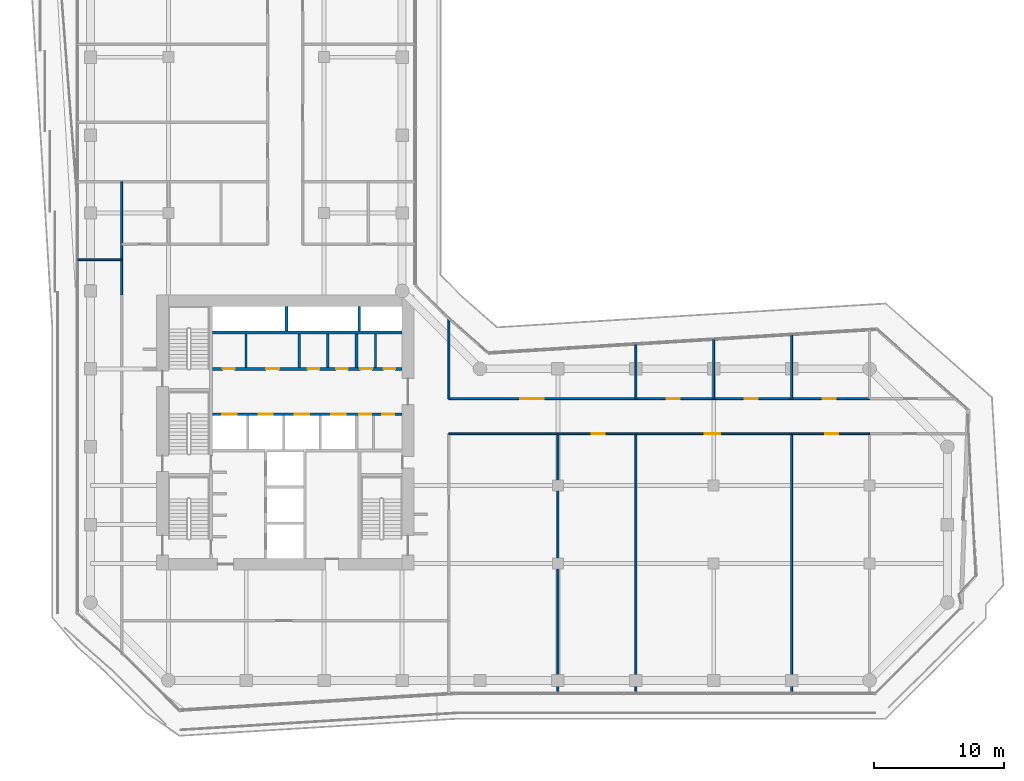
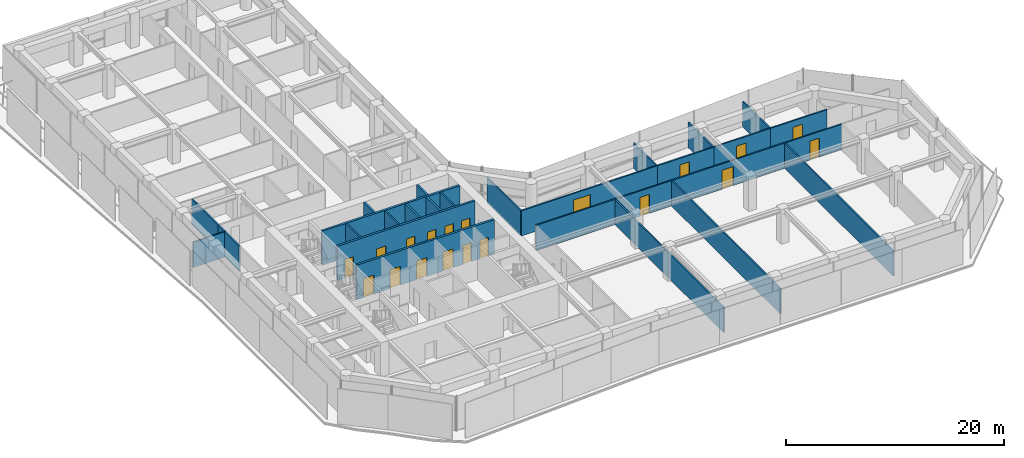
# One storey, part 24 of 29: 28 walls, 19 doors, 19 openings.
"""IFC4 building model written with IfcOpenShell, lengths in metres."""

from ifc_helpers import new_model, si_unit, direction, frame, frame_2d, origin, place, context, subcontext, project, spatial, rectangle, extrude, material, layer, layer_set, type_object, element, fill, save


model = new_model("IFC4")

# Units and contexts
model_context = context("Model", 3, precision=1e-05, world=origin(), true_north=direction((0.0, 1.0)))
body_context = subcontext(model_context, "Body", "Model", "MODEL_VIEW")
ifc_project = project(units=[si_unit("LENGTHUNIT", "METRE"), si_unit("AREAUNIT", "SQUARE_METRE"), si_unit("VOLUMEUNIT", "CUBIC_METRE"), si_unit("PLANEANGLEUNIT", "RADIAN"), si_unit("MASSUNIT", "GRAM", prefix="KILO")], contexts=[model_context])

# Site, building, storey
site_placement = place(None, origin())
site = spatial("IfcSite", under=ifc_project, at=site_placement, CompositionType="ELEMENT")
building_placement = place(site_placement, origin())
building = spatial("IfcBuilding", under=site, at=building_placement, Name="Welwitschia Terrace Campus", CompositionType="ELEMENT")
storey_placement = place(building_placement, frame((0.0, 0.0, 66.800048828125)))
storey = spatial("IfcBuildingStorey", under=building, at=storey_placement, Name="L15", CompositionType="ELEMENT", Elevation=66.800048828125)

# Walls
ifc_material_1 = material(Name="Concrete C32/40", Category="concrete")
ifc_layer_1 = layer(ifc_material_1, 0.175048828125)
ifc_layer_set_1 = layer_set([ifc_layer_1], Name="Concrete C32/40")
wall_type_1 = type_object("IfcWallType", Name="Core partition 175 Concrete C32/40", PredefinedType="PARTITIONING", material=ifc_layer_set_1)
for number, where, z_axis, x_axis, name in (
    (1, (11.97509765625, 20.10009765625, 0.0), (0.0, 0.0, 1.0), (0.0, 1.0, 0.0), "Core partition"),
    (2, (16.074951171875, 20.10009765625, 0.0), (0.0, 0.0, 1.0), (0.0, 1.0, 0.0), "Core partition"),
    (3, (18.27490234375, 20.10009765625, 0.0), (0.0, 0.0, 1.0), (0.0, 1.0, 0.0), "Core partition"),
    (4, (21.9599609375, 20.10009765625, 0.0), (0.0, 0.0, 1.0), (0.0, 1.0, 0.0), "Core partition"),
):
    element("IfcWall", number, at=place(storey_placement, frame(where, z_axis=z_axis, x_axis=x_axis)), inside=storey, type_object=wall_type_1, Name=name, PredefinedType="PARTITIONING", context=body_context, shape_type="SweptSolid", body=[
        extrude(rectangle(XDim=2.599853515625, YDim=0.175048828125, at=frame_2d((1.2998046875, 0.0))), origin(), (0.0, 0.0, 1.0), 3.849853515625),
    ])

# Wall, openings, doors
ifc_material_2 = material(Name="Concrete C32/40", Category="concrete")
ifc_layer_2 = layer(ifc_material_2, 0.22509765625)
ifc_layer_set_2 = layer_set([ifc_layer_2], Name="Concrete C32/40")
wall_type_2 = type_object("IfcWallType", Name="Core partition 225 Concrete C32/40", PredefinedType="PARTITIONING", material=ifc_layer_set_2)
wall_1_placement = place(storey_placement, frame((9.39990234375, 16.5, 0.0), z_axis=(0.0, 0.0, 1.0), x_axis=(1.0, 0.0, 0.0)))
wall_1 = element("IfcWall", 5, at=wall_1_placement, inside=storey, type_object=wall_type_2, Name="Shaft wall", PredefinedType="PARTITIONING", context=body_context, shape_type="SweptSolid", body=[
    extrude(rectangle(XDim=14.60009765625, YDim=0.22509765625, at=frame_2d((7.300048828125, 0.0))), origin(), (0.0, 0.0, 1.0), 3.849853515625),
])
opening_1_placement = place(wall_1_placement, frame((0.75, 0.0, 0.0)))
opening_1 = element("IfcOpeningElement", 6, at=opening_1_placement, cuts=wall_1, Name="Opening LD", PredefinedType="OPENING", context=body_context, shape_type="SweptSolid", body=[
    extrude(rectangle(XDim=1.10009765625, YDim=2.10009765625, at=frame_2d((0.550048828125, 1.050048828125))), frame((0.0, 0.12255859375, 0.0), z_axis=(0.0, -1.0, 0.0), x_axis=(1.0, 0.0, 0.0)), (0.0, 0.0, 1.0), 0.2451171875),
])
opening_2_placement = place(wall_1_placement, frame((3.550048828125, 0.0, 0.0)))
opening_2 = element("IfcOpeningElement", 7, at=opening_2_placement, cuts=wall_1, Name="Opening LD", PredefinedType="OPENING", context=body_context, shape_type="SweptSolid", body=[
    extrude(rectangle(XDim=1.10009765625, YDim=2.10009765625, at=frame_2d((0.550048828125, 1.050048828125))), frame((0.0, 0.12255859375, 0.0), z_axis=(0.0, -1.0, 0.0), x_axis=(1.0, 0.0, 0.0)), (0.0, 0.0, 1.0), 0.2451171875),
])
opening_3_placement = place(wall_1_placement, frame((6.35009765625, 0.0, 0.0)))
opening_3 = element("IfcOpeningElement", 8, at=opening_3_placement, cuts=wall_1, Name="Opening LD", PredefinedType="OPENING", context=body_context, shape_type="SweptSolid", body=[
    extrude(rectangle(XDim=1.10009765625, YDim=2.10009765625, at=frame_2d((0.550048828125, 1.050048828125))), frame((0.0, 0.12255859375, 0.0), z_axis=(0.0, -1.0, 0.0), x_axis=(1.0, 0.0, 0.0)), (0.0, 0.0, 1.0), 0.2451171875),
])
opening_4_placement = place(wall_1_placement, frame((9.14990234375, 0.0, 0.0)))
opening_4 = element("IfcOpeningElement", 9, at=opening_4_placement, cuts=wall_1, Name="Opening LD", PredefinedType="OPENING", context=body_context, shape_type="SweptSolid", body=[
    extrude(rectangle(XDim=1.10009765625, YDim=2.10009765625, at=frame_2d((0.550048828125, 1.050048828125))), frame((0.0, 0.12255859375, 0.0), z_axis=(0.0, -1.0, 0.0), x_axis=(1.0, 0.0, 0.0)), (0.0, 0.0, 1.0), 0.2451171875),
])
opening_5_placement = place(wall_1_placement, frame((11.3076171875, 0.0, 0.0)))
opening_5 = element("IfcOpeningElement", 10, at=opening_5_placement, cuts=wall_1, Name="Opening DR09", PredefinedType="OPENING", context=body_context, shape_type="SweptSolid", body=[
    extrude(rectangle(XDim=0.89990234375, YDim=2.10009765625, at=frame_2d((0.449951171875, 1.050048828125))), frame((0.0, 0.12255859375, 0.0), z_axis=(0.0, -1.0, 0.0), x_axis=(1.0, 0.0, 0.0)), (0.0, 0.0, 1.0), 0.2451171875),
])
opening_6_placement = place(wall_1_placement, frame((13.08251953125, 0.0, 0.0)))
opening_6 = element("IfcOpeningElement", 11, at=opening_6_placement, cuts=wall_1, Name="Opening DR09", PredefinedType="OPENING", context=body_context, shape_type="SweptSolid", body=[
    extrude(rectangle(XDim=0.89990234375, YDim=2.10009765625, at=frame_2d((0.449951171875, 1.050048828125))), frame((0.0, 0.12255859375, 0.0), z_axis=(0.0, -1.0, 0.0), x_axis=(1.0, 0.0, 0.0)), (0.0, 0.0, 1.0), 0.2451171875),
])
ifc_material_3 = material(Name="Steel S275", Category="steel")
door_type_1 = type_object("IfcDoorType", Name="Core door DR09", OperationType="SINGLE_SWING_LEFT", PredefinedType="DOOR", material=ifc_material_3)
door_1_placement = place(opening_5_placement, origin())
door_1 = element("IfcDoor", 12, at=door_1_placement, inside=storey, type_object=door_type_1, Name="Door EL1-D", OperationType="SINGLE_SWING_RIGHT", OverallHeight=2.10009765625, OverallWidth=0.89990234375, PredefinedType="DOOR", context=body_context, shape_type="SweptSolid", body=[
    extrude(rectangle(XDim=0.89990234375, YDim=2.10009765625, at=frame_2d((0.449951171875, 1.050048828125))), frame((0.0, 0.02490234375, 0.0), z_axis=(0.0, -1.0, 0.0), x_axis=(1.0, 0.0, 0.0)), (0.0, 0.0, 1.0), 0.050048828125),
])
fill(opening_5, door_1)
door_2_placement = place(opening_6_placement, origin())
door_2 = element("IfcDoor", 13, at=door_2_placement, inside=storey, type_object=door_type_1, Name="Door EL2-D", OperationType="SINGLE_SWING_RIGHT", OverallHeight=2.10009765625, OverallWidth=0.89990234375, PredefinedType="DOOR", context=body_context, shape_type="SweptSolid", body=[
    extrude(rectangle(XDim=0.89990234375, YDim=2.10009765625, at=frame_2d((0.449951171875, 1.050048828125))), frame((0.0, 0.02490234375, 0.0), z_axis=(0.0, -1.0, 0.0), x_axis=(1.0, 0.0, 0.0)), (0.0, 0.0, 1.0), 0.050048828125),
])
fill(opening_6, door_2)
ifc_material_4 = material(Name="Stainless steel 304", Category="steel")
door_type_2 = type_object("IfcDoorType", Name="Lift landing door", OperationType="DOUBLE_DOOR_SLIDING", PredefinedType="DOOR", material=ifc_material_4)
door_3_placement = place(opening_1_placement, origin())
door_3 = element("IfcDoor", 14, at=door_3_placement, inside=storey, type_object=door_type_2, Name="Landing door LR1", OperationType="DOUBLE_DOOR_SLIDING", OverallHeight=2.10009765625, OverallWidth=1.10009765625, PredefinedType="DOOR", context=body_context, shape_type="SweptSolid", body=[
    extrude(rectangle(XDim=1.10009765625, YDim=2.10009765625, at=frame_2d((0.550048828125, 1.050048828125))), frame((0.0, 0.02490234375, 0.0), z_axis=(0.0, -1.0, 0.0), x_axis=(1.0, 0.0, 0.0)), (0.0, 0.0, 1.0), 0.050048828125),
])
fill(opening_1, door_3)
door_4_placement = place(opening_2_placement, origin())
door_4 = element("IfcDoor", 15, at=door_4_placement, inside=storey, type_object=door_type_2, Name="Landing door LR2", OperationType="DOUBLE_DOOR_SLIDING", OverallHeight=2.10009765625, OverallWidth=1.10009765625, PredefinedType="DOOR", context=body_context, shape_type="SweptSolid", body=[
    extrude(rectangle(XDim=1.10009765625, YDim=2.10009765625, at=frame_2d((0.550048828125, 1.050048828125))), frame((0.0, 0.02490234375, 0.0), z_axis=(0.0, -1.0, 0.0), x_axis=(1.0, 0.0, 0.0)), (0.0, 0.0, 1.0), 0.050048828125),
])
fill(opening_2, door_4)
door_5_placement = place(opening_3_placement, origin())
door_5 = element("IfcDoor", 16, at=door_5_placement, inside=storey, type_object=door_type_2, Name="Landing door LR3", OperationType="DOUBLE_DOOR_SLIDING", OverallHeight=2.10009765625, OverallWidth=1.10009765625, PredefinedType="DOOR", context=body_context, shape_type="SweptSolid", body=[
    extrude(rectangle(XDim=1.10009765625, YDim=2.10009765625, at=frame_2d((0.550048828125, 1.050048828125))), frame((0.0, 0.02490234375, 0.0), z_axis=(0.0, -1.0, 0.0), x_axis=(1.0, 0.0, 0.0)), (0.0, 0.0, 1.0), 0.050048828125),
])
fill(opening_3, door_5)
door_6_placement = place(opening_4_placement, origin())
door_6 = element("IfcDoor", 17, at=door_6_placement, inside=storey, type_object=door_type_2, Name="Landing door LR4", OperationType="DOUBLE_DOOR_SLIDING", OverallHeight=2.10009765625, OverallWidth=1.10009765625, PredefinedType="DOOR", context=body_context, shape_type="SweptSolid", body=[
    extrude(rectangle(XDim=1.10009765625, YDim=2.10009765625, at=frame_2d((0.550048828125, 1.050048828125))), frame((0.0, 0.02490234375, 0.0), z_axis=(0.0, -1.0, 0.0), x_axis=(1.0, 0.0, 0.0)), (0.0, 0.0, 1.0), 0.050048828125),
])
fill(opening_4, door_6)

wall_2_placement = place(storey_placement, frame((24.0, 20.0, 0.0), z_axis=(0.0, 0.0, 1.0), x_axis=(-1.0, 0.0, 0.0)))
wall_2 = element("IfcWall", 18, at=wall_2_placement, inside=storey, type_object=wall_type_2, Name="Core partition", PredefinedType="PARTITIONING", context=body_context, shape_type="SweptSolid", body=[
    extrude(rectangle(XDim=14.60009765625, YDim=0.22509765625, at=frame_2d((7.300048828125, 0.0))), origin(), (0.0, 0.0, 1.0), 3.849853515625),
])
opening_7_placement = place(wall_2_placement, frame((12.89990234375, 0.0, 0.0)))
opening_7 = element("IfcOpeningElement", 19, at=opening_7_placement, cuts=wall_2, Name="Opening DR09", PredefinedType="OPENING", context=body_context, shape_type="SweptSolid", body=[
    extrude(rectangle(XDim=0.89990234375, YDim=2.10009765625, at=frame_2d((0.449951171875, 1.050048828125))), frame((0.0, 0.12255859375, 0.0), z_axis=(0.0, -1.0, 0.0), x_axis=(1.0, 0.0, 0.0)), (0.0, 0.0, 1.0), 0.2451171875),
])
opening_8_placement = place(wall_2_placement, frame((9.47509765625, 0.0, 0.0)))
opening_8 = element("IfcOpeningElement", 20, at=opening_8_placement, cuts=wall_2, Name="Opening DR10", PredefinedType="OPENING", context=body_context, shape_type="SweptSolid", body=[
    extrude(rectangle(XDim=1.0, YDim=2.10009765625, at=frame_2d((0.5, 1.050048828125))), frame((0.0, 0.12255859375, 0.0), z_axis=(0.0, -1.0, 0.0), x_axis=(1.0, 0.0, 0.0)), (0.0, 0.0, 1.0), 0.2451171875),
])
opening_9_placement = place(wall_2_placement, frame((6.375, 0.0, 0.0)))
opening_9 = element("IfcOpeningElement", 21, at=opening_9_placement, cuts=wall_2, Name="Opening DR09", PredefinedType="OPENING", context=body_context, shape_type="SweptSolid", body=[
    extrude(rectangle(XDim=0.89990234375, YDim=2.10009765625, at=frame_2d((0.449951171875, 1.050048828125))), frame((0.0, 0.12255859375, 0.0), z_axis=(0.0, -1.0, 0.0), x_axis=(1.0, 0.0, 0.0)), (0.0, 0.0, 1.0), 0.2451171875),
])
opening_10_placement = place(wall_2_placement, frame((4.175048828125, 0.0, 0.0)))
opening_10 = element("IfcOpeningElement", 22, at=opening_10_placement, cuts=wall_2, Name="Opening DR09", PredefinedType="OPENING", context=body_context, shape_type="SweptSolid", body=[
    extrude(rectangle(XDim=0.89990234375, YDim=2.10009765625, at=frame_2d((0.449951171875, 1.050048828125))), frame((0.0, 0.12255859375, 0.0), z_axis=(0.0, -1.0, 0.0), x_axis=(1.0, 0.0, 0.0)), (0.0, 0.0, 1.0), 0.2451171875),
])
opening_11_placement = place(wall_2_placement, frame((2.3076171875, 0.0, 0.0)))
opening_11 = element("IfcOpeningElement", 23, at=opening_11_placement, cuts=wall_2, Name="Opening DR09", PredefinedType="OPENING", context=body_context, shape_type="SweptSolid", body=[
    extrude(rectangle(XDim=0.89990234375, YDim=2.10009765625, at=frame_2d((0.449951171875, 1.050048828125))), frame((0.0, 0.12255859375, 0.0), z_axis=(0.0, -1.0, 0.0), x_axis=(1.0, 0.0, 0.0)), (0.0, 0.0, 1.0), 0.2451171875),
])
opening_12_placement = place(wall_2_placement, frame((0.532470703125, 0.0, 0.0)))
opening_12 = element("IfcOpeningElement", 24, at=opening_12_placement, cuts=wall_2, Name="Opening DR09", PredefinedType="OPENING", context=body_context, shape_type="SweptSolid", body=[
    extrude(rectangle(XDim=0.89990234375, YDim=2.10009765625, at=frame_2d((0.449951171875, 1.050048828125))), frame((0.0, 0.12255859375, 0.0), z_axis=(0.0, -1.0, 0.0), x_axis=(1.0, 0.0, 0.0)), (0.0, 0.0, 1.0), 0.2451171875),
])
door_7_placement = place(opening_7_placement, origin())
door_7 = element("IfcDoor", 25, at=door_7_placement, inside=storey, type_object=door_type_1, Name="Door BAYH1-D", OperationType="SINGLE_SWING_RIGHT", OverallHeight=2.10009765625, OverallWidth=0.89990234375, PredefinedType="DOOR", context=body_context, shape_type="SweptSolid", body=[
    extrude(rectangle(XDim=0.89990234375, YDim=2.10009765625, at=frame_2d((0.449951171875, 1.050048828125))), frame((0.0, 0.02490234375, 0.0), z_axis=(0.0, -1.0, 0.0), x_axis=(1.0, 0.0, 0.0)), (0.0, 0.0, 1.0), 0.050048828125),
])
fill(opening_7, door_7)
door_8_placement = place(opening_9_placement, origin())
door_8 = element("IfcDoor", 26, at=door_8_placement, inside=storey, type_object=door_type_1, Name="Door BAYH3-D", OperationType="SINGLE_SWING_LEFT", OverallHeight=2.10009765625, OverallWidth=0.89990234375, PredefinedType="DOOR", context=body_context, shape_type="SweptSolid", body=[
    extrude(rectangle(XDim=0.89990234375, YDim=2.10009765625, at=frame_2d((0.449951171875, 1.050048828125))), frame((0.0, 0.02490234375, 0.0), z_axis=(0.0, -1.0, 0.0), x_axis=(1.0, 0.0, 0.0)), (0.0, 0.0, 1.0), 0.050048828125),
])
fill(opening_9, door_8)
door_9_placement = place(opening_10_placement, origin())
door_9 = element("IfcDoor", 27, at=door_9_placement, inside=storey, type_object=door_type_1, Name="Door BAYH4-D", OperationType="SINGLE_SWING_LEFT", OverallHeight=2.10009765625, OverallWidth=0.89990234375, PredefinedType="DOOR", context=body_context, shape_type="SweptSolid", body=[
    extrude(rectangle(XDim=0.89990234375, YDim=2.10009765625, at=frame_2d((0.449951171875, 1.050048828125))), frame((0.0, 0.02490234375, 0.0), z_axis=(0.0, -1.0, 0.0), x_axis=(1.0, 0.0, 0.0)), (0.0, 0.0, 1.0), 0.050048828125),
])
fill(opening_10, door_9)
door_10_placement = place(opening_11_placement, origin())
door_10 = element("IfcDoor", 28, at=door_10_placement, inside=storey, type_object=door_type_1, Name="Door EH1-D", OperationType="SINGLE_SWING_LEFT", OverallHeight=2.10009765625, OverallWidth=0.89990234375, PredefinedType="DOOR", context=body_context, shape_type="SweptSolid", body=[
    extrude(rectangle(XDim=0.89990234375, YDim=2.10009765625, at=frame_2d((0.449951171875, 1.050048828125))), frame((0.0, 0.02490234375, 0.0), z_axis=(0.0, -1.0, 0.0), x_axis=(1.0, 0.0, 0.0)), (0.0, 0.0, 1.0), 0.050048828125),
])
fill(opening_11, door_10)
door_11_placement = place(opening_12_placement, origin())
door_11 = element("IfcDoor", 29, at=door_11_placement, inside=storey, type_object=door_type_1, Name="Door EH2-D", OperationType="SINGLE_SWING_LEFT", OverallHeight=2.10009765625, OverallWidth=0.89990234375, PredefinedType="DOOR", context=body_context, shape_type="SweptSolid", body=[
    extrude(rectangle(XDim=0.89990234375, YDim=2.10009765625, at=frame_2d((0.449951171875, 1.050048828125))), frame((0.0, 0.02490234375, 0.0), z_axis=(0.0, -1.0, 0.0), x_axis=(1.0, 0.0, 0.0)), (0.0, 0.0, 1.0), 0.050048828125),
])
fill(opening_12, door_11)
ifc_material_5 = material(Name="Steel S275", Category="steel")
door_type_3 = type_object("IfcDoorType", Name="Core door DR10", OperationType="SINGLE_SWING_LEFT", PredefinedType="DOOR", material=ifc_material_5)
door_12_placement = place(opening_8_placement, origin())
door_12 = element("IfcDoor", 30, at=door_12_placement, inside=storey, type_object=door_type_3, Name="Door BAYH2-D", OperationType="SINGLE_SWING_RIGHT", OverallHeight=2.10009765625, OverallWidth=1.0, PredefinedType="DOOR", context=body_context, shape_type="SweptSolid", body=[
    extrude(rectangle(XDim=1.0, YDim=2.10009765625, at=frame_2d((0.5, 1.050048828125))), frame((0.0, 0.02490234375, 0.0), z_axis=(0.0, -1.0, 0.0), x_axis=(1.0, 0.0, 0.0)), (0.0, 0.0, 1.0), 0.050048828125),
])
fill(opening_8, door_12)

# Walls
wall_3_placement = place(storey_placement, frame((9.39990234375, 22.800048828125, 0.0), z_axis=(0.0, 0.0, 1.0), x_axis=(1.0, 0.0, 0.0)))
element("IfcWall", 31, at=wall_3_placement, inside=storey, type_object=wall_type_2, Name="Shaft wall", PredefinedType="PARTITIONING", context=body_context, shape_type="SweptSolid", body=[
    extrude(rectangle(XDim=14.60009765625, YDim=0.22509765625, at=frame_2d((7.300048828125, 0.0))), origin(), (0.0, 0.0, 1.0), 3.849853515625),
])
wall_4_placement = place(storey_placement, frame((20.5, 20.10009765625, 0.0), z_axis=(0.0, 0.0, 1.0), x_axis=(0.0, 1.0, 0.0)))
element("IfcWall", 32, at=wall_4_placement, inside=storey, type_object=wall_type_2, Name="Core partition", PredefinedType="PARTITIONING", context=body_context, shape_type="SweptSolid", body=[
    extrude(rectangle(XDim=2.599853515625, YDim=0.22509765625, at=frame_2d((1.2998046875, 0.0))), origin(), (0.0, 0.0, 1.0), 3.849853515625),
])
ifc_material_6 = material(Name="Concrete C50/60", Category="concrete")
ifc_layer_3 = layer(ifc_material_6, 0.199951171875)
ifc_layer_set_3 = layer_set([ifc_layer_3], Name="Concrete C50/60")
wall_type_3 = type_object("IfcWallType", Name="Core wall 200 Concrete C50/60", PredefinedType="SHEAR", material=ifc_layer_set_3)
for number, where, z_axis, x_axis, name in (
    (33, (15.10009765625, 22.89990234375, 0.0), (0.0, 0.0, 1.0), (0.0, 1.0, 0.0), "Core wall"),
    (34, (20.699951171875, 22.89990234375, 0.0), (0.0, 0.0, 1.0), (0.0, 1.0, 0.0), "Core wall"),
):
    element("IfcWall", number, at=place(storey_placement, frame(where, z_axis=z_axis, x_axis=x_axis)), inside=storey, type_object=wall_type_3, Name=name, PredefinedType="SHEAR", context=body_context, shape_type="SweptSolid", body=[
        extrude(rectangle(XDim=1.900146484375, YDim=0.199951171875, at=frame_2d((0.9501953125, 0.0))), origin(), (0.0, 0.0, 1.0), 3.849853515625),
    ])
ifc_material_7 = material(Name="Gypsum board on steel studs", Category="steel")
ifc_layer_4 = layer(ifc_material_7, 0.14990234375)
ifc_layer_set_4 = layer_set([ifc_layer_4], Name="Gypsum board on steel studs")
wall_type_4 = type_object("IfcWallType", Name="Corridor partition 150 EI 30", PredefinedType="PARTITIONING", material=ifc_layer_set_4)
wall_5_placement = place(storey_placement, frame((-1.010009765625, 28.39990234375, 0.0), z_axis=(0.0, 0.0, 1.0), x_axis=(1.0, 0.0, 0.0)))
element("IfcWall", 35, at=wall_5_placement, inside=storey, type_object=wall_type_4, Name="Partition", PredefinedType="PARTITIONING", context=body_context, shape_type="SweptSolid", body=[
    extrude(rectangle(XDim=3.409912109375, YDim=0.14990234375, at=frame_2d((1.705078125, 0.0))), origin(), (0.0, 0.0, 1.0), 2.829833984375),
])
wall_6_placement = place(storey_placement, frame((2.39990234375, 25.699951171875, 0.0), z_axis=(0.0, 0.0, 1.0), x_axis=(0.0, 1.0, 0.0)))
element("IfcWall", 36, at=wall_6_placement, inside=storey, type_object=wall_type_4, Name="Partition", PredefinedType="PARTITIONING", context=body_context, shape_type="SweptSolid", body=[
    extrude(rectangle(XDim=3.900146484375, YDim=0.14990234375, at=frame_2d((1.9501953125, 0.0))), origin(), (0.0, 0.0, 1.0), 2.829833984375),
])
wall_7_placement = place(storey_placement, frame((2.39990234375, 29.60009765625, 0.0), z_axis=(0.0, 0.0, 1.0), x_axis=(0.0, 1.0, 0.0)))
element("IfcWall", 37, at=wall_7_placement, inside=storey, type_object=wall_type_4, Name="Partition", PredefinedType="PARTITIONING", context=body_context, shape_type="SweptSolid", body=[
    extrude(rectangle(XDim=4.7998046875, YDim=0.14990234375, at=frame_2d((2.39990234375, 0.0))), origin(), (0.0, 0.0, 1.0), 2.829833984375),
])
wall_8_placement = place(storey_placement, frame((27.60009765625, 15.0, 0.0), z_axis=(0.0, 0.0, 1.0), x_axis=(1.0, 0.0, 0.0)))
element("IfcWall", 38, at=wall_8_placement, inside=storey, type_object=wall_type_4, Name="Partition", PredefinedType="PARTITIONING", context=body_context, shape_type="SweptSolid", body=[
    extrude(rectangle(XDim=8.39990234375, YDim=0.14990234375, at=frame_2d((4.199951171875, 0.0))), origin(), (0.0, 0.0, 1.0), 2.829833984375),
])
wall_9_placement = place(storey_placement, frame((27.60009765625, 17.699951171875, 0.0), z_axis=(0.0, 0.0, 1.0), x_axis=(0.0, 1.0, 0.0)))
element("IfcWall", 39, at=wall_9_placement, inside=storey, type_object=wall_type_4, Name="Partition", PredefinedType="PARTITIONING", context=body_context, shape_type="SweptSolid", body=[
    extrude(rectangle(XDim=6.170166015625, YDim=0.14990234375, at=frame_2d((3.0849609375, 0.0))), origin(), (0.0, 0.0, 1.0), 2.829833984375),
])
for number, where, z_axis, x_axis, name in (
    (40, (36.0, -5.010009765625, 0.0), (0.0, 0.0, 1.0), (0.0, 1.0, 0.0), "Partition"),
    (41, (42.0, -5.010009765625, 0.0), (0.0, 0.0, 1.0), (0.0, 1.0, 0.0), "Partition"),
):
    element("IfcWall", number, at=place(storey_placement, frame(where, z_axis=z_axis, x_axis=x_axis)), inside=storey, type_object=wall_type_4, Name=name, PredefinedType="PARTITIONING", context=body_context, shape_type="SweptSolid", body=[
        extrude(rectangle(XDim=20.010009765625, YDim=0.14990234375, at=frame_2d((10.0048828125, 0.0))), origin(), (0.0, 0.0, 1.0), 2.829833984375),
    ])

# Wall, opening, door
wall_10_placement = place(storey_placement, frame((42.0, 15.0, 0.0), z_axis=(0.0, 0.0, 1.0), x_axis=(-1.0, 0.0, 0.0)))
wall_10 = element("IfcWall", 42, at=wall_10_placement, inside=storey, type_object=wall_type_4, Name="Partition", PredefinedType="PARTITIONING", context=body_context, shape_type="SweptSolid", body=[
    extrude(rectangle(XDim=6.0, YDim=0.14990234375, at=frame_2d((3.0, 0.0))), origin(), (0.0, 0.0, 1.0), 2.829833984375),
])
opening_13_placement = place(wall_10_placement, frame((2.39990234375, 0.0, 0.0)))
opening_13 = element("IfcOpeningElement", 43, at=opening_13_placement, cuts=wall_10, Name="Opening DI10", PredefinedType="OPENING", context=body_context, shape_type="SweptSolid", body=[
    extrude(rectangle(XDim=1.0, YDim=2.10009765625, at=frame_2d((0.5, 1.050048828125))), frame((0.0, 0.0849609375, 0.0), z_axis=(0.0, -1.0, 0.0), x_axis=(1.0, 0.0, 0.0)), (0.0, 0.0, 1.0), 0.169921875),
])
ifc_material_8 = material(Name="Timber veneered door", Category="wood")
door_type_4 = type_object("IfcDoorType", Name="Interior door DI10", OperationType="NOTDEFINED", PredefinedType="DOOR", material=ifc_material_8)
door_13_placement = place(opening_13_placement, origin())
door_13 = element("IfcDoor", 44, at=door_13_placement, inside=storey, type_object=door_type_4, Name="Door L15 350", OperationType="SINGLE_SWING_LEFT", OverallHeight=2.10009765625, OverallWidth=1.0, PredefinedType="DOOR", context=body_context, shape_type="SweptSolid", body=[
    extrude(rectangle(XDim=1.0, YDim=2.10009765625, at=frame_2d((0.5, 1.050048828125))), frame((0.0, 0.02490234375, 0.0), z_axis=(0.0, -1.0, 0.0), x_axis=(1.0, 0.0, 0.0)), (0.0, 0.0, 1.0), 0.050048828125),
])
fill(opening_13, door_13)

wall_11_placement = place(storey_placement, frame((42.0, 17.699951171875, 0.0), z_axis=(0.0, 0.0, 1.0), x_axis=(-1.0, 0.0, 0.0)))
wall_11 = element("IfcWall", 45, at=wall_11_placement, inside=storey, type_object=wall_type_4, Name="Partition", PredefinedType="PARTITIONING", context=body_context, shape_type="SweptSolid", body=[
    extrude(rectangle(XDim=14.39990234375, YDim=0.14990234375, at=frame_2d((7.199951171875, 0.0))), origin(), (0.0, 0.0, 1.0), 2.829833984375),
])
opening_14_placement = place(wall_11_placement, frame((7.10009765625, 0.0, 0.0)))
opening_14 = element("IfcOpeningElement", 46, at=opening_14_placement, cuts=wall_11, Name="Opening DI18", PredefinedType="OPENING", context=body_context, shape_type="SweptSolid", body=[
    extrude(rectangle(XDim=1.800048828125, YDim=2.10009765625, at=frame_2d((0.89990234375, 1.050048828125))), frame((0.0, 0.0849609375, 0.0), z_axis=(0.0, -1.0, 0.0), x_axis=(1.0, 0.0, 0.0)), (0.0, 0.0, 1.0), 0.169921875),
])
ifc_material_9 = material(Name="Timber veneered door", Category="wood")
door_type_5 = type_object("IfcDoorType", Name="Interior door DI18", OperationType="DOUBLE_DOOR_SINGLE_SWING", PredefinedType="DOOR", material=ifc_material_9)
door_14_placement = place(opening_14_placement, origin())
door_14 = element("IfcDoor", 47, at=door_14_placement, inside=storey, type_object=door_type_5, Name="Door L15 351", OperationType="SINGLE_SWING_LEFT", OverallHeight=2.10009765625, OverallWidth=1.800048828125, PredefinedType="DOOR", context=body_context, shape_type="SweptSolid", body=[
    extrude(rectangle(XDim=1.800048828125, YDim=2.10009765625, at=frame_2d((0.89990234375, 1.050048828125))), frame((0.0, 0.02490234375, 0.0), z_axis=(0.0, -1.0, 0.0), x_axis=(1.0, 0.0, 0.0)), (0.0, 0.0, 1.0), 0.050048828125),
])
fill(opening_14, door_14)

# Wall
wall_12_placement = place(storey_placement, frame((42.0, 17.699951171875, 0.0), z_axis=(0.0, 0.0, 1.0), x_axis=(0.0, 1.0, 0.0)))
element("IfcWall", 48, at=wall_12_placement, inside=storey, type_object=wall_type_4, Name="Partition", PredefinedType="PARTITIONING", context=body_context, shape_type="SweptSolid", body=[
    extrude(rectangle(XDim=4.199951171875, YDim=0.14990234375, at=frame_2d((2.10009765625, 0.0))), origin(), (0.0, 0.0, 1.0), 2.829833984375),
])

# Wall, opening, door
wall_13_placement = place(storey_placement, frame((42.0, 17.699951171875, 0.0), z_axis=(0.0, 0.0, 1.0), x_axis=(1.0, 0.0, 0.0)))
wall_13 = element("IfcWall", 49, at=wall_13_placement, inside=storey, type_object=wall_type_4, Name="Partition", PredefinedType="PARTITIONING", context=body_context, shape_type="SweptSolid", body=[
    extrude(rectangle(XDim=6.0, YDim=0.14990234375, at=frame_2d((3.0, 0.0))), origin(), (0.0, 0.0, 1.0), 2.829833984375),
])
opening_15_placement = place(wall_13_placement, frame((2.39990234375, 0.0, 0.0)))
opening_15 = element("IfcOpeningElement", 50, at=opening_15_placement, cuts=wall_13, Name="Opening DI10", PredefinedType="OPENING", context=body_context, shape_type="SweptSolid", body=[
    extrude(rectangle(XDim=1.0, YDim=2.10009765625, at=frame_2d((0.5, 1.050048828125))), frame((0.0, 0.0849609375, 0.0), z_axis=(0.0, -1.0, 0.0), x_axis=(1.0, 0.0, 0.0)), (0.0, 0.0, 1.0), 0.169921875),
])
door_15_placement = place(opening_15_placement, origin())
door_15 = element("IfcDoor", 51, at=door_15_placement, inside=storey, type_object=door_type_4, Name="Door L15 352", OperationType="SINGLE_SWING_LEFT", OverallHeight=2.10009765625, OverallWidth=1.0, PredefinedType="DOOR", context=body_context, shape_type="SweptSolid", body=[
    extrude(rectangle(XDim=1.0, YDim=2.10009765625, at=frame_2d((0.5, 1.050048828125))), frame((0.0, 0.02490234375, 0.0), z_axis=(0.0, -1.0, 0.0), x_axis=(1.0, 0.0, 0.0)), (0.0, 0.0, 1.0), 0.050048828125),
])
fill(opening_15, door_15)

# Wall
wall_14_placement = place(storey_placement, frame((48.0, 17.699951171875, 0.0), z_axis=(0.0, 0.0, 1.0), x_axis=(0.0, 1.0, 0.0)))
element("IfcWall", 52, at=wall_14_placement, inside=storey, type_object=wall_type_4, Name="Partition", PredefinedType="PARTITIONING", context=body_context, shape_type="SweptSolid", body=[
    extrude(rectangle(XDim=4.570068359375, YDim=0.14990234375, at=frame_2d((2.28515625, 0.0))), origin(), (0.0, 0.0, 1.0), 2.829833984375),
])

# Wall, opening, door
wall_15_placement = place(storey_placement, frame((48.0, 17.699951171875, 0.0), z_axis=(0.0, 0.0, 1.0), x_axis=(1.0, 0.0, 0.0)))
wall_15 = element("IfcWall", 53, at=wall_15_placement, inside=storey, type_object=wall_type_4, Name="Partition", PredefinedType="PARTITIONING", context=body_context, shape_type="SweptSolid", body=[
    extrude(rectangle(XDim=6.0, YDim=0.14990234375, at=frame_2d((3.0, 0.0))), origin(), (0.0, 0.0, 1.0), 2.829833984375),
])
opening_16_placement = place(wall_15_placement, frame((2.39990234375, 0.0, 0.0)))
opening_16 = element("IfcOpeningElement", 54, at=opening_16_placement, cuts=wall_15, Name="Opening DI10", PredefinedType="OPENING", context=body_context, shape_type="SweptSolid", body=[
    extrude(rectangle(XDim=1.0, YDim=2.10009765625, at=frame_2d((0.5, 1.050048828125))), frame((0.0, 0.0849609375, 0.0), z_axis=(0.0, -1.0, 0.0), x_axis=(1.0, 0.0, 0.0)), (0.0, 0.0, 1.0), 0.169921875),
])
door_16_placement = place(opening_16_placement, origin())
door_16 = element("IfcDoor", 55, at=door_16_placement, inside=storey, type_object=door_type_4, Name="Door L15 353", OperationType="SINGLE_SWING_RIGHT", OverallHeight=2.10009765625, OverallWidth=1.0, PredefinedType="DOOR", context=body_context, shape_type="SweptSolid", body=[
    extrude(rectangle(XDim=1.0, YDim=2.10009765625, at=frame_2d((0.5, 1.050048828125))), frame((0.0, 0.02490234375, 0.0), z_axis=(0.0, -1.0, 0.0), x_axis=(1.0, 0.0, 0.0)), (0.0, 0.0, 1.0), 0.050048828125),
])
fill(opening_16, door_16)

# Wall
wall_16_placement = place(storey_placement, frame((54.0, -4.992919921875, 0.0), z_axis=(0.0, 0.0, 1.0), x_axis=(0.0, 1.0, 0.0)))
element("IfcWall", 56, at=wall_16_placement, inside=storey, type_object=wall_type_4, Name="Partition", PredefinedType="PARTITIONING", context=body_context, shape_type="SweptSolid", body=[
    extrude(rectangle(XDim=19.992919921875, YDim=0.14990234375, at=frame_2d((9.99658203125, 0.0))), origin(), (0.0, 0.0, 1.0), 2.829833984375),
])

# Wall, opening, door
wall_17_placement = place(storey_placement, frame((54.0, 15.0, 0.0), z_axis=(0.0, 0.0, 1.0), x_axis=(-1.0, 0.0, 0.0)))
wall_17 = element("IfcWall", 57, at=wall_17_placement, inside=storey, type_object=wall_type_4, Name="Partition", PredefinedType="PARTITIONING", context=body_context, shape_type="SweptSolid", body=[
    extrude(rectangle(XDim=12.0, YDim=0.14990234375, at=frame_2d((6.0, 0.0))), origin(), (0.0, 0.0, 1.0), 2.829833984375),
])
opening_17_placement = place(wall_17_placement, frame((5.5, 0.0, 0.0)))
opening_17 = element("IfcOpeningElement", 58, at=opening_17_placement, cuts=wall_17, Name="Opening DI12", PredefinedType="OPENING", context=body_context, shape_type="SweptSolid", body=[
    extrude(rectangle(XDim=1.199951171875, YDim=2.10009765625, at=frame_2d((0.60009765625, 1.050048828125))), frame((0.0, 0.0849609375, 0.0), z_axis=(0.0, -1.0, 0.0), x_axis=(1.0, 0.0, 0.0)), (0.0, 0.0, 1.0), 0.169921875),
])
ifc_material_10 = material(Name="Timber veneered door", Category="wood")
door_type_6 = type_object("IfcDoorType", Name="Interior door DI12", OperationType="NOTDEFINED", PredefinedType="DOOR", material=ifc_material_10)
door_17_placement = place(opening_17_placement, origin())
door_17 = element("IfcDoor", 59, at=door_17_placement, inside=storey, type_object=door_type_6, Name="Door L15 354", OperationType="SINGLE_SWING_LEFT", OverallHeight=2.10009765625, OverallWidth=1.199951171875, PredefinedType="DOOR", context=body_context, shape_type="SweptSolid", body=[
    extrude(rectangle(XDim=1.199951171875, YDim=2.10009765625, at=frame_2d((0.60009765625, 1.050048828125))), frame((0.0, 0.02490234375, 0.0), z_axis=(0.0, -1.0, 0.0), x_axis=(1.0, 0.0, 0.0)), (0.0, 0.0, 1.0), 0.050048828125),
])
fill(opening_17, door_17)

# Wall
wall_18_placement = place(storey_placement, frame((54.0, 17.699951171875, 0.0), z_axis=(0.0, 0.0, 1.0), x_axis=(0.0, 1.0, 0.0)))
element("IfcWall", 60, at=wall_18_placement, inside=storey, type_object=wall_type_4, Name="Partition", PredefinedType="PARTITIONING", context=body_context, shape_type="SweptSolid", body=[
    extrude(rectangle(XDim=4.93994140625, YDim=0.14990234375, at=frame_2d((2.469970703125, 0.0))), origin(), (0.0, 0.0, 1.0), 2.829833984375),
])

# Wall, opening, door
wall_19_placement = place(storey_placement, frame((54.0, 17.699951171875, 0.0), z_axis=(0.0, 0.0, 1.0), x_axis=(1.0, 0.0, 0.0)))
wall_19 = element("IfcWall", 61, at=wall_19_placement, inside=storey, type_object=wall_type_4, Name="Partition", PredefinedType="PARTITIONING", context=body_context, shape_type="SweptSolid", body=[
    extrude(rectangle(XDim=6.0, YDim=0.14990234375, at=frame_2d((3.0, 0.0))), origin(), (0.0, 0.0, 1.0), 2.829833984375),
])
opening_18_placement = place(wall_19_placement, frame((2.39990234375, 0.0, 0.0)))
opening_18 = element("IfcOpeningElement", 62, at=opening_18_placement, cuts=wall_19, Name="Opening DI10", PredefinedType="OPENING", context=body_context, shape_type="SweptSolid", body=[
    extrude(rectangle(XDim=1.0, YDim=2.10009765625, at=frame_2d((0.5, 1.050048828125))), frame((0.0, 0.0849609375, 0.0), z_axis=(0.0, -1.0, 0.0), x_axis=(1.0, 0.0, 0.0)), (0.0, 0.0, 1.0), 0.169921875),
])
door_18_placement = place(opening_18_placement, origin())
door_18 = element("IfcDoor", 63, at=door_18_placement, inside=storey, type_object=door_type_4, Name="Door L15 355", OperationType="SINGLE_SWING_RIGHT", OverallHeight=2.10009765625, OverallWidth=1.0, PredefinedType="DOOR", context=body_context, shape_type="SweptSolid", body=[
    extrude(rectangle(XDim=1.0, YDim=2.10009765625, at=frame_2d((0.5, 1.050048828125))), frame((0.0, 0.02490234375, 0.0), z_axis=(0.0, -1.0, 0.0), x_axis=(1.0, 0.0, 0.0)), (0.0, 0.0, 1.0), 0.050048828125),
])
fill(opening_18, door_18)

wall_20_placement = place(storey_placement, frame((60.0, 15.0, 0.0), z_axis=(0.0, 0.0, 1.0), x_axis=(-1.0, 0.0, 0.0)))
wall_20 = element("IfcWall", 64, at=wall_20_placement, inside=storey, type_object=wall_type_4, Name="Partition", PredefinedType="PARTITIONING", context=body_context, shape_type="SweptSolid", body=[
    extrude(rectangle(XDim=6.0, YDim=0.14990234375, at=frame_2d((3.0, 0.0))), origin(), (0.0, 0.0, 1.0), 2.829833984375),
])
opening_19_placement = place(wall_20_placement, frame((2.39990234375, 0.0, 0.0)))
opening_19 = element("IfcOpeningElement", 65, at=opening_19_placement, cuts=wall_20, Name="Opening DI10", PredefinedType="OPENING", context=body_context, shape_type="SweptSolid", body=[
    extrude(rectangle(XDim=1.0, YDim=2.10009765625, at=frame_2d((0.5, 1.050048828125))), frame((0.0, 0.0849609375, 0.0), z_axis=(0.0, -1.0, 0.0), x_axis=(1.0, 0.0, 0.0)), (0.0, 0.0, 1.0), 0.169921875),
])
door_19_placement = place(opening_19_placement, origin())
door_19 = element("IfcDoor", 66, at=door_19_placement, inside=storey, type_object=door_type_4, Name="Door L15 356", OperationType="SINGLE_SWING_LEFT", OverallHeight=2.10009765625, OverallWidth=1.0, PredefinedType="DOOR", context=body_context, shape_type="SweptSolid", body=[
    extrude(rectangle(XDim=1.0, YDim=2.10009765625, at=frame_2d((0.5, 1.050048828125))), frame((0.0, 0.02490234375, 0.0), z_axis=(0.0, -1.0, 0.0), x_axis=(1.0, 0.0, 0.0)), (0.0, 0.0, 1.0), 0.050048828125),
])
fill(opening_19, door_19)

save(model, "model.ifc")
